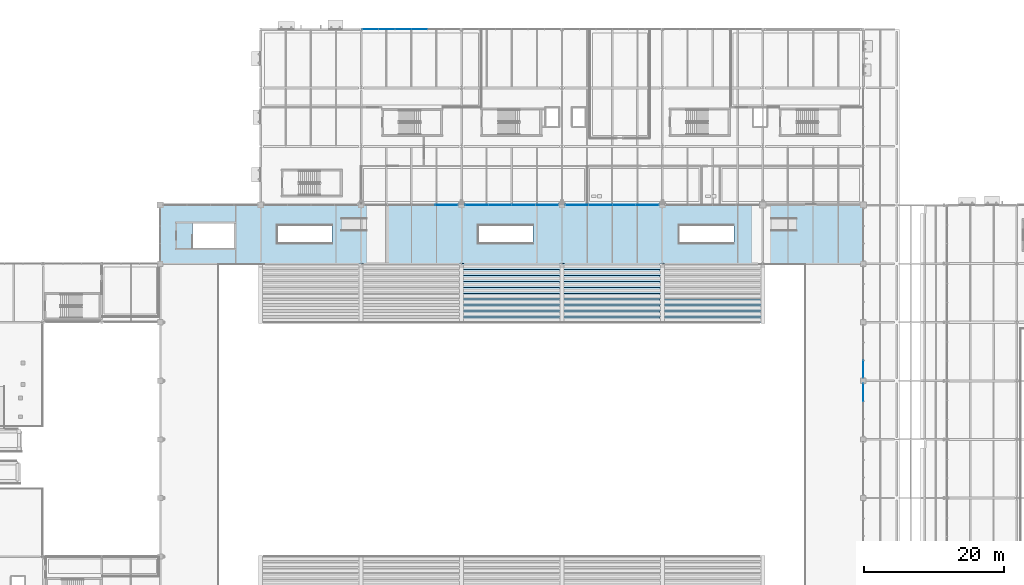
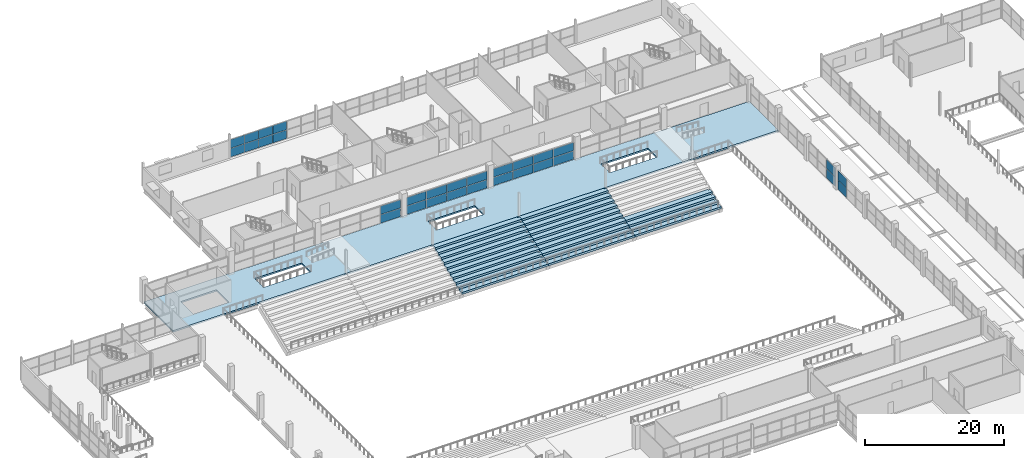
# One storey, part 127 of 161: 30 plates, 25 slabs, 6 elements without a shape of their own.
"""IFC4 building model written with IfcOpenShell, lengths in metres."""

import ifcopenshell
import ifcopenshell.guid

model = None  # the IFC model being written
_history = None  # IfcOwnerHistory: only IFC2X3 demands one
_inside = {}  # id of a spatial element -> (the spatial element, [elements in it])
_under = {}  # id of a project, library or spatial element -> (it, [spatial elements below it])
_declared = {}  # id of a project -> (the project, [libraries it declares])
_typed = {}  # id of a type object -> (the type object, [elements of that type])
_made_of = {}  # id of a material, layer set ... -> (it, [elements and type objects made of it])


def new_model(schema):
    """Start an empty IFC model of exactly this schema.

    Asked for "IFC4X3", IfcOpenShell would pick the latest addendum, in which some entities
    have other attributes; the version numbers below select the first issue.
    IFC2X3 requires an IfcOwnerHistory on every rooted entity: one is made here for all.
    """
    global model, _history
    if schema == "IFC4X3":
        model = ifcopenshell.file(schema_version=(4, 3, 0, 0))
    else:
        model = ifcopenshell.file(schema=schema)
    _inside.clear()
    _under.clear()
    _declared.clear()
    _typed.clear()
    _made_of.clear()
    _history = None
    if model.schema == "IFC2X3":
        org = make("IfcOrganization", Name="unknown")
        user = make(
            "IfcPersonAndOrganization",
            ThePerson=make("IfcPerson", FamilyName="unknown"),
            TheOrganization=org,
        )
        app = make(
            "IfcApplication",
            ApplicationDeveloper=org,
            Version="unknown",
            ApplicationFullName="unknown",
            ApplicationIdentifier="unknown",
        )
        _history = make(
            "IfcOwnerHistory",
            OwningUser=user,
            OwningApplication=app,
            ChangeAction="ADDED",
            CreationDate=0,
        )
    return model


def make(cls, **values):
    """One entity of the class cls with the attributes given. An attribute that is None is left unset."""
    return model.create_entity(
        cls, **{name: value for name, value in values.items() if value is not None}
    )


def rooted(cls, **values):
    """An entity with a GlobalId (a new one), such as an element, a storey or a relation."""
    return make(cls, GlobalId=ifcopenshell.guid.new(), OwnerHistory=_history, **values)


def si_unit(unit_type, name, prefix=None):
    """IfcSIUnit, for example si_unit("LENGTHUNIT", "METRE", prefix="MILLI")."""
    return make("IfcSIUnit", UnitType=unit_type, Prefix=prefix, Name=name)


def assignment(units):
    """IfcUnitAssignment: the units of a project."""
    return None if units is None else make("IfcUnitAssignment", Units=units)


def point(xyz):
    """IfcCartesianPoint."""
    return None if xyz is None else make("IfcCartesianPoint", Coordinates=xyz)


def direction(xyz):
    """IfcDirection."""
    return None if xyz is None else make("IfcDirection", DirectionRatios=xyz)


def frame(location, z_axis=None, x_axis=None):
    """IfcAxis2Placement3D, a coordinate frame: its origin and axes. An axis left out is left unset."""
    return make(
        "IfcAxis2Placement3D",
        Location=point(location),
        Axis=direction(z_axis),
        RefDirection=direction(x_axis),
    )


def frame_2d(location, x_axis=None):
    """IfcAxis2Placement2D, a coordinate frame in the plane: its origin and x axis."""
    return make(
        "IfcAxis2Placement2D", Location=point(location), RefDirection=direction(x_axis)
    )


def origin():
    """The frame at (0, 0, 0) with its axes left unset."""
    return frame((0.0, 0.0, 0.0))


def origin_2d():
    """The frame at (0, 0) in the plane with its x axis left unset."""
    return frame_2d((0.0, 0.0))


def place(relative_to, where):
    """IfcLocalPlacement: puts the frame where relative to a parent placement (None: the world)."""
    return make(
        "IfcLocalPlacement", PlacementRelTo=relative_to, RelativePlacement=where
    )


def context(
    kind, dimensions, precision=None, world=None, true_north=None, identifier=None
):
    """IfcGeometricRepresentationContext, for example the 3D "Model" context."""
    return make(
        "IfcGeometricRepresentationContext",
        ContextIdentifier=identifier,
        ContextType=kind,
        CoordinateSpaceDimension=dimensions,
        Precision=precision,
        WorldCoordinateSystem=world,
        TrueNorth=true_north,
    )


def subcontext(parent, identifier, kind, view, scale=None):
    """IfcGeometricRepresentationSubContext, for example "Body" below "Model"."""
    return make(
        "IfcGeometricRepresentationSubContext",
        ContextIdentifier=identifier,
        ContextType=kind,
        ParentContext=parent,
        TargetScale=scale,
        TargetView=view,
    )


def project(units=None, contexts=None):
    """IfcProject with its units and contexts."""
    return rooted(
        "IfcProject",
        Name="project",
        RepresentationContexts=contexts,
        UnitsInContext=assignment(units),
    )


def spatial(cls, under=None, at=None, **own):
    """A site, building, storey or space (cls), placed at a placement, below another one or the project."""
    s = rooted(cls, ObjectPlacement=at, **own)
    if under is not None:
        _under.setdefault(under.id(), (under, []))[1].append(s)
    return s


def polyline(points):
    """IfcPolyline through the points."""
    return make("IfcPolyline", Points=[point(p) for p in points])


def profile(cls, at=None, kind="AREA", **sizes):
    """A parametric profile (cls). Its sizes go by their IFC names, for example OverallWidth=200.0."""
    return make(cls, ProfileType=kind, Position=at, **sizes)


def rectangle(**sizes):
    """IfcRectangleProfileDef."""
    return profile("IfcRectangleProfileDef", **sizes)


def outline(outer, holes=None, kind="AREA"):
    """IfcArbitraryClosedProfileDef: a profile drawn as a closed curve; with holes, ...WithVoids."""
    if holes is None:
        return make("IfcArbitraryClosedProfileDef", ProfileType=kind, OuterCurve=outer)
    return make(
        "IfcArbitraryProfileDefWithVoids",
        ProfileType=kind,
        OuterCurve=outer,
        InnerCurves=holes,
    )


def extrude(swept, where, along, depth):
    """IfcExtrudedAreaSolid: the profile swept, set in the frame where, extruded along a direction by depth."""
    return make(
        "IfcExtrudedAreaSolid",
        SweptArea=swept,
        Position=where,
        ExtrudedDirection=direction(along),
        Depth=depth,
    )


def shape(context_of_items, identifier, shape_type, items):
    """IfcShapeRepresentation: the items that make up one representation, for example the "Body"."""
    return make(
        "IfcShapeRepresentation",
        ContextOfItems=context_of_items,
        RepresentationIdentifier=identifier,
        RepresentationType=shape_type,
        Items=items,
    )


def material(Name=None, Category=None):
    """IfcMaterial."""
    return make("IfcMaterial", Name=Name, Category=Category)


def layer(
    of_material, thickness, ventilated=None, Name=None, Category=None, Priority=None
):
    """IfcMaterialLayer: one layer of a wall or slab, of a material (None: an air gap)."""
    return make(
        "IfcMaterialLayer",
        Material=of_material,
        LayerThickness=thickness,
        IsVentilated=ventilated,
        Name=Name,
        Category=Category,
        Priority=Priority,
    )


def layer_set(layers, Name=None):
    """IfcMaterialLayerSet."""
    return make("IfcMaterialLayerSet", MaterialLayers=layers, LayerSetName=Name)


def made_of(thing, what):
    """Note that an element or type object is made of a material, layer set ...; save() writes the relation."""
    if what is not None:
        _made_of.setdefault(what.id(), (what, []))[1].append(thing)
    return thing


def type_object(cls, material=None, **own):
    """A type object (cls), such as IfcWallType, which elements share."""
    return made_of(rooted(cls, **own), material)


def element(
    cls,
    number,
    at=None,
    inside=None,
    cuts=None,
    type_object=None,
    material=None,
    context=None,
    identifier="Body",
    shape_type=None,
    held_by="IfcProductDefinitionShape",
    body=None,
    shapes=None,
    **own,
):
    """One element of the class cls, such as IfcWall. Its Tag is "e" and its number.

    at: its placement. inside: the storey or other place that contains it. cuts: it is an
    opening in that element (IfcRelVoidsElement). A single representation is given by context,
    identifier, shape_type and body (its items); several are given by shapes. held_by: the class
    of the entity that holds the representations. save() writes the other relations.
    """
    e = rooted(cls, Tag="e%d" % number, ObjectPlacement=at, **own)
    if body is not None:
        shapes = [shape(context, identifier, shape_type, body)]
    if shapes is not None:
        e.Representation = make(held_by, Representations=shapes)
    if inside is not None:
        _inside.setdefault(inside.id(), (inside, []))[1].append(e)
    if cuts is not None:
        rooted(
            "IfcRelVoidsElement", RelatingBuildingElement=cuts, RelatedOpeningElement=e
        )
    if type_object is not None:
        _typed.setdefault(type_object.id(), (type_object, []))[1].append(e)
    return made_of(e, material)


def aggregate(whole, parts):
    """IfcRelAggregates: a whole, such as a stair, and the parts it consists of."""
    return rooted("IfcRelAggregates", RelatingObject=whole, RelatedObjects=parts)


def save(model, path):
    """Write the relations noted so far, then the file.

    IfcRelAggregates (storeys below a building ...), IfcRelContainedInSpatialStructure (elements
    in a storey), IfcRelDefinesByType, IfcRelAssociatesMaterial and IfcRelDeclares: one each for
    every whole, place, type object, material and project.
    """
    for whole, parts in _under.values():
        aggregate(whole, parts)
    for where, things in _inside.values():
        rooted(
            "IfcRelContainedInSpatialStructure",
            RelatedElements=things,
            RelatingStructure=where,
        )
    for kind, things in _typed.values():
        rooted("IfcRelDefinesByType", RelatedObjects=things, RelatingType=kind)
    for what, things in _made_of.values():
        rooted("IfcRelAssociatesMaterial", RelatedObjects=things, RelatingMaterial=what)
    for by, libraries in _declared.values():
        rooted("IfcRelDeclares", RelatingContext=by, RelatedDefinitions=libraries)
    model.write(path)


model = new_model("IFC4")

# Units and contexts
model_context = context("Model", 3, precision=1e-05, world=origin(), true_north=direction((0.0, 1.0)))
body_context = subcontext(model_context, "Body", "Model", "MODEL_VIEW")
ifc_project = project(units=[si_unit("LENGTHUNIT", "METRE"), si_unit("AREAUNIT", "SQUARE_METRE"), si_unit("VOLUMEUNIT", "CUBIC_METRE"), si_unit("PLANEANGLEUNIT", "RADIAN"), si_unit("MASSUNIT", "GRAM", prefix="KILO"), si_unit("THERMODYNAMICTEMPERATUREUNIT", "KELVIN")], contexts=[model_context])

# Site, building, storey
site_placement = place(None, origin())
site = spatial("IfcSite", under=ifc_project, at=site_placement, CompositionType="ELEMENT")
building_placement = place(site_placement, origin())
building = spatial("IfcBuilding", under=site, at=building_placement, Name="Nduvali Passage Aquatics Centre", CompositionType="ELEMENT")
storey_placement = place(building_placement, frame((0.0, 0.0, 4.800048828125)))
storey = spatial("IfcBuildingStorey", under=building, at=storey_placement, Name="L01", CompositionType="ELEMENT", Elevation=4.800048828125)

# Curtain wall, plates
ifc_material_1 = material(Name="Aluminium EN AW-6063 T6", Category="aluminium")
curtain_wall_type_1 = type_object("IfcCurtainWallType", Name="ENV-CW-WELL", PredefinedType="NOTDEFINED", material=ifc_material_1)
curtain_wall_1_placement = place(storey_placement, origin())
curtain_wall_1 = element("IfcCurtainWall", 1, at=curtain_wall_1_placement, inside=storey, type_object=curtain_wall_type_1, Name="L01 North Avenue Fitness CW 100", PredefinedType="NOTDEFINED")
ifc_material_2 = material(Name="Laminated solar-control low-E IGU")
ifc_layer_1 = layer(ifc_material_2, 0.028076171875, Name="Laminated solar-control low-E IGU")
ifc_layer_set_1 = layer_set([ifc_layer_1], Name="Laminated solar-control low-E IGU")
plate_type_1 = type_object("IfcPlateType", Name="ENV-PLT-GLZ28", PredefinedType="CURTAIN_PANEL", material=ifc_layer_set_1)
plate_1_placement = place(storey_placement, frame((55.34130859375, 117.60009765625, 0.06005859375), z_axis=(0.0, 0.0, 1.0), x_axis=(1.0, 0.0, 0.0)))
plate_1 = element("IfcPlate", 2, at=plate_1_placement, type_object=plate_type_1, Name="North Avenue Fitness CW Glazed Panel B1-R1", PredefinedType="CURTAIN_PANEL", context=body_context, shape_type="SweptSolid", body=[
    extrude(rectangle(XDim=2.25341796875, YDim=0.028076171875, at=origin_2d()), origin(), (0.0, 0.0, 1.0), 1.496826171875),
])
plate_2_placement = place(storey_placement, frame((55.34130859375, 117.60009765625, 1.61669921875), z_axis=(0.0, 0.0, 1.0), x_axis=(1.0, 0.0, 0.0)))
plate_2 = element("IfcPlate", 3, at=plate_2_placement, type_object=plate_type_1, Name="North Avenue Fitness CW Glazed Panel B1-R2", PredefinedType="CURTAIN_PANEL", context=body_context, shape_type="SweptSolid", body=[
    extrude(rectangle(XDim=2.25341796875, YDim=0.028076171875, at=origin_2d()), origin(), (0.0, 0.0, 1.0), 1.496826171875),
])
plate_3_placement = place(storey_placement, frame((57.669677734375, 117.60009765625, 0.06005859375), z_axis=(0.0, 0.0, 1.0), x_axis=(1.0, 0.0, 0.0)))
plate_3 = element("IfcPlate", 4, at=plate_3_placement, type_object=plate_type_1, Name="North Avenue Fitness CW Glazed Panel B2-R1", PredefinedType="CURTAIN_PANEL", context=body_context, shape_type="SweptSolid", body=[
    extrude(rectangle(XDim=2.283447265625, YDim=0.028076171875, at=origin_2d()), origin(), (0.0, 0.0, 1.0), 1.496826171875),
])
plate_4_placement = place(storey_placement, frame((57.669677734375, 117.60009765625, 1.61669921875), z_axis=(0.0, 0.0, 1.0), x_axis=(1.0, 0.0, 0.0)))
plate_4 = element("IfcPlate", 5, at=plate_4_placement, type_object=plate_type_1, Name="North Avenue Fitness CW Glazed Panel B2-R2", PredefinedType="CURTAIN_PANEL", context=body_context, shape_type="SweptSolid", body=[
    extrude(rectangle(XDim=2.283447265625, YDim=0.028076171875, at=origin_2d()), origin(), (0.0, 0.0, 1.0), 1.496826171875),
])
plate_5_placement = place(storey_placement, frame((60.012939453125, 117.60009765625, 0.06005859375), z_axis=(0.0, 0.0, 1.0), x_axis=(1.0, 0.0, 0.0)))
plate_5 = element("IfcPlate", 6, at=plate_5_placement, type_object=plate_type_1, Name="North Avenue Fitness CW Glazed Panel B3-R1", PredefinedType="CURTAIN_PANEL", context=body_context, shape_type="SweptSolid", body=[
    extrude(rectangle(XDim=2.283447265625, YDim=0.028076171875, at=origin_2d()), origin(), (0.0, 0.0, 1.0), 1.496826171875),
])
plate_6_placement = place(storey_placement, frame((60.012939453125, 117.60009765625, 1.61669921875), z_axis=(0.0, 0.0, 1.0), x_axis=(1.0, 0.0, 0.0)))
plate_6 = element("IfcPlate", 7, at=plate_6_placement, type_object=plate_type_1, Name="North Avenue Fitness CW Glazed Panel B3-R2", PredefinedType="CURTAIN_PANEL", context=body_context, shape_type="SweptSolid", body=[
    extrude(rectangle(XDim=2.283447265625, YDim=0.028076171875, at=origin_2d()), origin(), (0.0, 0.0, 1.0), 1.496826171875),
])
plate_7_placement = place(storey_placement, frame((62.3564453125, 117.60009765625, 0.06005859375), z_axis=(0.0, 0.0, 1.0), x_axis=(1.0, 0.0, 0.0)))
plate_7 = element("IfcPlate", 8, at=plate_7_placement, type_object=plate_type_1, Name="North Avenue Fitness CW Glazed Panel B4-R1", PredefinedType="CURTAIN_PANEL", context=body_context, shape_type="SweptSolid", body=[
    extrude(rectangle(XDim=2.283447265625, YDim=0.028076171875, at=origin_2d()), origin(), (0.0, 0.0, 1.0), 1.496826171875),
])
plate_8_placement = place(storey_placement, frame((62.3564453125, 117.60009765625, 1.61669921875), z_axis=(0.0, 0.0, 1.0), x_axis=(1.0, 0.0, 0.0)))
plate_8 = element("IfcPlate", 9, at=plate_8_placement, type_object=plate_type_1, Name="North Avenue Fitness CW Glazed Panel B4-R2", PredefinedType="CURTAIN_PANEL", context=body_context, shape_type="SweptSolid", body=[
    extrude(rectangle(XDim=2.283447265625, YDim=0.028076171875, at=origin_2d()), origin(), (0.0, 0.0, 1.0), 1.496826171875),
])
aggregate(curtain_wall_1, [plate_1, plate_2, plate_3, plate_4, plate_5, plate_6, plate_7, plate_8])

curtain_wall_type_2 = type_object("IfcCurtainWallType", Name="ENV-CW-HALL", PredefinedType="NOTDEFINED", material=ifc_material_1)
curtain_wall_2_placement = place(storey_placement, origin())
curtain_wall_2 = element("IfcCurtainWall", 10, at=curtain_wall_2_placement, inside=storey, type_object=curtain_wall_type_2, Name="L01 East Passage Pool Hall Gallery Glazing 030", PredefinedType="NOTDEFINED")
ifc_layer_2 = layer(ifc_material_2, 0.031982421875, Name="Laminated solar-control low-E IGU")
ifc_layer_set_2 = layer_set([ifc_layer_2], Name="Laminated solar-control low-E IGU")
plate_type_2 = type_object("IfcPlateType", Name="ENV-PLT-GLZ32", PredefinedType="CURTAIN_PANEL", material=ifc_layer_set_2)
plate_9_placement = place(storey_placement, frame((126.0, 65.534912109375, 0.06005859375), z_axis=(0.0, 0.0, 1.0), x_axis=(0.0, 1.0, 0.0)))
plate_9 = element("IfcPlate", 11, at=plate_9_placement, type_object=plate_type_2, Name="East Passage Pool Hall Gallery Glazing Glazed Panel B3-R1", PredefinedType="CURTAIN_PANEL", context=body_context, shape_type="SweptSolid", body=[
    extrude(rectangle(XDim=2.4599609375, YDim=0.031982421875, at=origin_2d()), origin(), (0.0, 0.0, 1.0), 1.6083984375),
])
plate_10_placement = place(storey_placement, frame((126.0, 65.534912109375, 1.728271484375), z_axis=(0.0, 0.0, 1.0), x_axis=(0.0, 1.0, 0.0)))
plate_10 = element("IfcPlate", 12, at=plate_10_placement, type_object=plate_type_2, Name="East Passage Pool Hall Gallery Glazing Glazed Panel B3-R2", PredefinedType="CURTAIN_PANEL", context=body_context, shape_type="SweptSolid", body=[
    extrude(rectangle(XDim=2.4599609375, YDim=0.031982421875, at=origin_2d()), origin(), (0.0, 0.0, 1.0), 1.6083984375),
])
aggregate(curtain_wall_2, [plate_9, plate_10])

curtain_wall_3_placement = place(storey_placement, origin())
curtain_wall_3 = element("IfcCurtainWall", 13, at=curtain_wall_3_placement, inside=storey, type_object=curtain_wall_type_2, Name="L01 East Passage Pool Hall Gallery Glazing 034", PredefinedType="NOTDEFINED")
plate_11_placement = place(storey_placement, frame((126.0, 68.864990234375, 0.06005859375), z_axis=(0.0, 0.0, 1.0), x_axis=(0.0, 1.0, 0.0)))
plate_11 = element("IfcPlate", 14, at=plate_11_placement, type_object=plate_type_2, Name="East Passage Pool Hall Gallery Glazing Glazed Panel B1-R1", PredefinedType="CURTAIN_PANEL", context=body_context, shape_type="SweptSolid", body=[
    extrude(rectangle(XDim=2.4599609375, YDim=0.031982421875, at=origin_2d()), origin(), (0.0, 0.0, 1.0), 1.6083984375),
])
plate_12_placement = place(storey_placement, frame((126.0, 68.864990234375, 1.728271484375), z_axis=(0.0, 0.0, 1.0), x_axis=(0.0, 1.0, 0.0)))
plate_12 = element("IfcPlate", 15, at=plate_12_placement, type_object=plate_type_2, Name="East Passage Pool Hall Gallery Glazing Glazed Panel B1-R2", PredefinedType="CURTAIN_PANEL", context=body_context, shape_type="SweptSolid", body=[
    extrude(rectangle(XDim=2.4599609375, YDim=0.031982421875, at=origin_2d()), origin(), (0.0, 0.0, 1.0), 1.6083984375),
])
aggregate(curtain_wall_3, [plate_11, plate_12])

curtain_wall_4_placement = place(storey_placement, origin())
curtain_wall_4 = element("IfcCurtainWall", 16, at=curtain_wall_4_placement, inside=storey, type_object=curtain_wall_type_2, Name="L01 North Pool Hall Concourse CW 061", PredefinedType="NOTDEFINED")
plate_13_placement = place(storey_placement, frame((66.24755859375, 92.39990234375, 0.06005859375), z_axis=(0.0, 0.0, 1.0), x_axis=(1.0, 0.0, 0.0)))
plate_13 = element("IfcPlate", 17, at=plate_13_placement, type_object=plate_type_2, Name="North Pool Hall Concourse CW Glazed Panel B4-R1", PredefinedType="CURTAIN_PANEL", context=body_context, shape_type="SweptSolid", body=[
    extrude(rectangle(XDim=3.284912109375, YDim=0.031982421875, at=origin_2d()), origin(), (0.0, 0.0, 1.0), 1.45751953125),
])
plate_14_placement = place(storey_placement, frame((66.24755859375, 92.39990234375, 1.57763671875), z_axis=(0.0, 0.0, 1.0), x_axis=(1.0, 0.0, 0.0)))
plate_14 = element("IfcPlate", 18, at=plate_14_placement, type_object=plate_type_2, Name="North Pool Hall Concourse CW Glazed Panel B4-R2", PredefinedType="CURTAIN_PANEL", context=body_context, shape_type="SweptSolid", body=[
    extrude(rectangle(XDim=3.284912109375, YDim=0.031982421875, at=origin_2d()), origin(), (0.0, 0.0, 1.0), 1.45751953125),
])
aggregate(curtain_wall_4, [plate_13, plate_14])

curtain_wall_5_placement = place(storey_placement, origin())
curtain_wall_5 = element("IfcCurtainWall", 19, at=curtain_wall_5_placement, inside=storey, type_object=curtain_wall_type_2, Name="L01 North Pool Hall Concourse CW 062", PredefinedType="NOTDEFINED")
plate_15_placement = place(storey_placement, frame((70.552490234375, 92.39990234375, 0.06005859375), z_axis=(0.0, 0.0, 1.0), x_axis=(1.0, 0.0, 0.0)))
plate_15 = element("IfcPlate", 20, at=plate_15_placement, type_object=plate_type_2, Name="North Pool Hall Concourse CW Glazed Panel B1-R1", PredefinedType="CURTAIN_PANEL", context=body_context, shape_type="SweptSolid", body=[
    extrude(rectangle(XDim=3.284912109375, YDim=0.031982421875, at=origin_2d()), origin(), (0.0, 0.0, 1.0), 1.45751953125),
])
plate_16_placement = place(storey_placement, frame((70.552490234375, 92.39990234375, 1.57763671875), z_axis=(0.0, 0.0, 1.0), x_axis=(1.0, 0.0, 0.0)))
plate_16 = element("IfcPlate", 21, at=plate_16_placement, type_object=plate_type_2, Name="North Pool Hall Concourse CW Glazed Panel B1-R2", PredefinedType="CURTAIN_PANEL", context=body_context, shape_type="SweptSolid", body=[
    extrude(rectangle(XDim=3.284912109375, YDim=0.031982421875, at=origin_2d()), origin(), (0.0, 0.0, 1.0), 1.45751953125),
])
plate_17_placement = place(storey_placement, frame((73.91259765625, 92.39990234375, 0.06005859375), z_axis=(0.0, 0.0, 1.0), x_axis=(1.0, 0.0, 0.0)))
plate_17 = element("IfcPlate", 22, at=plate_17_placement, type_object=plate_type_2, Name="North Pool Hall Concourse CW Glazed Panel B2-R1", PredefinedType="CURTAIN_PANEL", context=body_context, shape_type="SweptSolid", body=[
    extrude(rectangle(XDim=3.31494140625, YDim=0.031982421875, at=origin_2d()), origin(), (0.0, 0.0, 1.0), 1.45751953125),
])
plate_18_placement = place(storey_placement, frame((73.91259765625, 92.39990234375, 1.57763671875), z_axis=(0.0, 0.0, 1.0), x_axis=(1.0, 0.0, 0.0)))
plate_18 = element("IfcPlate", 23, at=plate_18_placement, type_object=plate_type_2, Name="North Pool Hall Concourse CW Glazed Panel B2-R2", PredefinedType="CURTAIN_PANEL", context=body_context, shape_type="SweptSolid", body=[
    extrude(rectangle(XDim=3.31494140625, YDim=0.031982421875, at=origin_2d()), origin(), (0.0, 0.0, 1.0), 1.45751953125),
])
plate_19_placement = place(storey_placement, frame((77.28759765625, 92.39990234375, 0.06005859375), z_axis=(0.0, 0.0, 1.0), x_axis=(1.0, 0.0, 0.0)))
plate_19 = element("IfcPlate", 24, at=plate_19_placement, type_object=plate_type_2, Name="North Pool Hall Concourse CW Glazed Panel B3-R1", PredefinedType="CURTAIN_PANEL", context=body_context, shape_type="SweptSolid", body=[
    extrude(rectangle(XDim=3.31494140625, YDim=0.031982421875, at=origin_2d()), origin(), (0.0, 0.0, 1.0), 1.45751953125),
])
plate_20_placement = place(storey_placement, frame((77.28759765625, 92.39990234375, 1.57763671875), z_axis=(0.0, 0.0, 1.0), x_axis=(1.0, 0.0, 0.0)))
plate_20 = element("IfcPlate", 25, at=plate_20_placement, type_object=plate_type_2, Name="North Pool Hall Concourse CW Glazed Panel B3-R2", PredefinedType="CURTAIN_PANEL", context=body_context, shape_type="SweptSolid", body=[
    extrude(rectangle(XDim=3.31494140625, YDim=0.031982421875, at=origin_2d()), origin(), (0.0, 0.0, 1.0), 1.45751953125),
])
plate_21_placement = place(storey_placement, frame((80.6474609375, 92.39990234375, 0.06005859375), z_axis=(0.0, 0.0, 1.0), x_axis=(1.0, 0.0, 0.0)))
plate_21 = element("IfcPlate", 26, at=plate_21_placement, type_object=plate_type_2, Name="North Pool Hall Concourse CW Glazed Panel B4-R1", PredefinedType="CURTAIN_PANEL", context=body_context, shape_type="SweptSolid", body=[
    extrude(rectangle(XDim=3.284912109375, YDim=0.031982421875, at=origin_2d()), origin(), (0.0, 0.0, 1.0), 1.45751953125),
])
plate_22_placement = place(storey_placement, frame((80.6474609375, 92.39990234375, 1.57763671875), z_axis=(0.0, 0.0, 1.0), x_axis=(1.0, 0.0, 0.0)))
plate_22 = element("IfcPlate", 27, at=plate_22_placement, type_object=plate_type_2, Name="North Pool Hall Concourse CW Glazed Panel B4-R2", PredefinedType="CURTAIN_PANEL", context=body_context, shape_type="SweptSolid", body=[
    extrude(rectangle(XDim=3.284912109375, YDim=0.031982421875, at=origin_2d()), origin(), (0.0, 0.0, 1.0), 1.45751953125),
])
aggregate(curtain_wall_5, [plate_15, plate_16, plate_17, plate_18, plate_19, plate_20, plate_21, plate_22])

curtain_wall_6_placement = place(storey_placement, origin())
curtain_wall_6 = element("IfcCurtainWall", 28, at=curtain_wall_6_placement, inside=storey, type_object=curtain_wall_type_2, Name="L01 North Pool Hall Concourse CW 064", PredefinedType="NOTDEFINED")
plate_23_placement = place(storey_placement, frame((84.952392578125, 92.39990234375, 0.06005859375), z_axis=(0.0, 0.0, 1.0), x_axis=(1.0, 0.0, 0.0)))
plate_23 = element("IfcPlate", 29, at=plate_23_placement, type_object=plate_type_2, Name="North Pool Hall Concourse CW Glazed Panel B1-R1", PredefinedType="CURTAIN_PANEL", context=body_context, shape_type="SweptSolid", body=[
    extrude(rectangle(XDim=3.284912109375, YDim=0.031982421875, at=origin_2d()), origin(), (0.0, 0.0, 1.0), 1.45751953125),
])
plate_24_placement = place(storey_placement, frame((84.952392578125, 92.39990234375, 1.57763671875), z_axis=(0.0, 0.0, 1.0), x_axis=(1.0, 0.0, 0.0)))
plate_24 = element("IfcPlate", 30, at=plate_24_placement, type_object=plate_type_2, Name="North Pool Hall Concourse CW Glazed Panel B1-R2", PredefinedType="CURTAIN_PANEL", context=body_context, shape_type="SweptSolid", body=[
    extrude(rectangle(XDim=3.284912109375, YDim=0.031982421875, at=origin_2d()), origin(), (0.0, 0.0, 1.0), 1.45751953125),
])
plate_25_placement = place(storey_placement, frame((88.3125, 92.39990234375, 0.06005859375), z_axis=(0.0, 0.0, 1.0), x_axis=(1.0, 0.0, 0.0)))
plate_25 = element("IfcPlate", 31, at=plate_25_placement, type_object=plate_type_2, Name="North Pool Hall Concourse CW Glazed Panel B2-R1", PredefinedType="CURTAIN_PANEL", context=body_context, shape_type="SweptSolid", body=[
    extrude(rectangle(XDim=3.31494140625, YDim=0.031982421875, at=origin_2d()), origin(), (0.0, 0.0, 1.0), 1.45751953125),
])
plate_26_placement = place(storey_placement, frame((88.3125, 92.39990234375, 1.57763671875), z_axis=(0.0, 0.0, 1.0), x_axis=(1.0, 0.0, 0.0)))
plate_26 = element("IfcPlate", 32, at=plate_26_placement, type_object=plate_type_2, Name="North Pool Hall Concourse CW Glazed Panel B2-R2", PredefinedType="CURTAIN_PANEL", context=body_context, shape_type="SweptSolid", body=[
    extrude(rectangle(XDim=3.31494140625, YDim=0.031982421875, at=origin_2d()), origin(), (0.0, 0.0, 1.0), 1.45751953125),
])
plate_27_placement = place(storey_placement, frame((91.6875, 92.39990234375, 0.06005859375), z_axis=(0.0, 0.0, 1.0), x_axis=(1.0, 0.0, 0.0)))
plate_27 = element("IfcPlate", 33, at=plate_27_placement, type_object=plate_type_2, Name="North Pool Hall Concourse CW Glazed Panel B3-R1", PredefinedType="CURTAIN_PANEL", context=body_context, shape_type="SweptSolid", body=[
    extrude(rectangle(XDim=3.31494140625, YDim=0.031982421875, at=origin_2d()), origin(), (0.0, 0.0, 1.0), 1.45751953125),
])
plate_28_placement = place(storey_placement, frame((91.6875, 92.39990234375, 1.57763671875), z_axis=(0.0, 0.0, 1.0), x_axis=(1.0, 0.0, 0.0)))
plate_28 = element("IfcPlate", 34, at=plate_28_placement, type_object=plate_type_2, Name="North Pool Hall Concourse CW Glazed Panel B3-R2", PredefinedType="CURTAIN_PANEL", context=body_context, shape_type="SweptSolid", body=[
    extrude(rectangle(XDim=3.31494140625, YDim=0.031982421875, at=origin_2d()), origin(), (0.0, 0.0, 1.0), 1.45751953125),
])
plate_29_placement = place(storey_placement, frame((95.047607421875, 92.39990234375, 0.06005859375), z_axis=(0.0, 0.0, 1.0), x_axis=(1.0, 0.0, 0.0)))
plate_29 = element("IfcPlate", 35, at=plate_29_placement, type_object=plate_type_2, Name="North Pool Hall Concourse CW Glazed Panel B4-R1", PredefinedType="CURTAIN_PANEL", context=body_context, shape_type="SweptSolid", body=[
    extrude(rectangle(XDim=3.284912109375, YDim=0.031982421875, at=origin_2d()), origin(), (0.0, 0.0, 1.0), 1.45751953125),
])
plate_30_placement = place(storey_placement, frame((95.047607421875, 92.39990234375, 1.57763671875), z_axis=(0.0, 0.0, 1.0), x_axis=(1.0, 0.0, 0.0)))
plate_30 = element("IfcPlate", 36, at=plate_30_placement, type_object=plate_type_2, Name="North Pool Hall Concourse CW Glazed Panel B4-R2", PredefinedType="CURTAIN_PANEL", context=body_context, shape_type="SweptSolid", body=[
    extrude(rectangle(XDim=3.284912109375, YDim=0.031982421875, at=origin_2d()), origin(), (0.0, 0.0, 1.0), 1.45751953125),
])
aggregate(curtain_wall_6, [plate_23, plate_24, plate_25, plate_26, plate_27, plate_28, plate_29, plate_30])

# Slabs
ifc_material_3 = material(Name="Concrete C40/50", Category="concrete")
ifc_layer_3 = layer(ifc_material_3, 0.280029296875, Name="Concrete C40/50")
ifc_layer_set_3 = layer_set([ifc_layer_3], Name="Concrete C40/50")
slab_type_1 = type_object("IfcSlabType", Name="STR-SLB-FLR280", PredefinedType="FLOOR", material=ifc_layer_set_3)
slab_1_placement = place(storey_placement, frame((0.0, 0.0, -0.280029296875)))
element("IfcSlab", 37, at=slab_1_placement, inside=storey, type_object=slab_type_1, Name="L01 North Spectator Concourse Gallery Slab", PredefinedType="FLOOR", context=body_context, shape_type="SweptSolid", body=[
    extrude(outline(polyline([(25.25, 84.0), (126.0, 84.0), (126.0, 92.39990234375), (25.25, 92.39990234375), (25.25, 84.0)]), holes=[polyline([(29.85009765625, 86.199951171875), (35.800048828125, 86.199951171875), (35.800048828125, 89.7900390625), (29.85009765625, 89.7900390625), (29.85009765625, 86.199951171875)]), polyline([(42.0, 86.925048828125), (49.830078125, 86.925048828125), (49.830078125, 89.47509765625), (42.0, 89.47509765625), (42.0, 86.925048828125)]), polyline([(70.800048828125, 86.925048828125), (78.6298828125, 86.925048828125), (78.6298828125, 89.47509765625), (70.800048828125, 89.47509765625), (70.800048828125, 86.925048828125)]), polyline([(99.60009765625, 86.925048828125), (107.429931640625, 86.925048828125), (107.429931640625, 89.47509765625), (99.60009765625, 89.47509765625), (99.60009765625, 86.925048828125)])]), origin(), (0.0, 0.0, 1.0), 0.280029296875),
])
ifc_material_4 = material(Name="Precast concrete C40/50", Category="concrete")
ifc_layer_4 = layer(ifc_material_4, 0.360107421875, Name="Precast concrete C40/50")
ifc_layer_set_4 = layer_set([ifc_layer_4], Name="Precast concrete C40/50")
slab_type_2 = type_object("IfcSlabType", Name="STR-SLB-TIER360", PredefinedType="USERDEFINED", material=ifc_layer_set_4)
slab_2_placement = place(storey_placement, frame((0.0, 0.0, -3.60009765625)))
element("IfcSlab", 38, at=slab_2_placement, inside=storey, type_object=slab_type_2, Name="Stand North Bay 3 Seating Tier Row 01", ObjectType="SEATING TIER", PredefinedType="USERDEFINED", context=body_context, shape_type="SweptSolid", body=[
    extrude(outline(polyline([(68.39990234375, 75.5), (82.800048828125, 75.5), (82.800048828125, 76.169921875), (82.449951171875, 76.169921875), (82.449951171875, 76.35009765625), (68.39990234375, 76.35009765625), (68.39990234375, 75.5)])), origin(), (0.0, 0.0, 1.0), 0.360107421875),
])
slab_3_placement = place(storey_placement, frame((0.0, 0.0, -3.60009765625)))
element("IfcSlab", 39, at=slab_3_placement, inside=storey, type_object=slab_type_2, Name="Stand North Bay 4 Seating Tier Row 01", ObjectType="SEATING TIER", PredefinedType="USERDEFINED", context=body_context, shape_type="SweptSolid", body=[
    extrude(outline(polyline([(82.800048828125, 75.5), (97.199951171875, 75.5), (97.199951171875, 76.169921875), (96.85009765625, 76.169921875), (96.85009765625, 76.35009765625), (82.800048828125, 76.35009765625), (82.800048828125, 75.5)])), origin(), (0.0, 0.0, 1.0), 0.360107421875),
])
slab_4_placement = place(storey_placement, frame((0.0, 0.0, -3.60009765625)))
element("IfcSlab", 40, at=slab_4_placement, inside=storey, type_object=slab_type_2, Name="Stand North Bay 5 Seating Tier Row 01", ObjectType="SEATING TIER", PredefinedType="USERDEFINED", context=body_context, shape_type="SweptSolid", body=[
    extrude(outline(polyline([(97.199951171875, 75.5), (111.60009765625, 75.5), (111.60009765625, 76.169921875), (111.25, 76.169921875), (111.25, 76.35009765625), (97.199951171875, 76.35009765625), (97.199951171875, 75.5)])), origin(), (0.0, 0.0, 1.0), 0.360107421875),
])
slab_5_placement = place(storey_placement, frame((0.0, 0.0, -3.239990234375)))
element("IfcSlab", 41, at=slab_5_placement, inside=storey, type_object=slab_type_2, Name="Stand North Bay 3 Seating Tier Row 02", ObjectType="SEATING TIER", PredefinedType="USERDEFINED", context=body_context, shape_type="SweptSolid", body=[
    extrude(outline(polyline([(68.39990234375, 76.35009765625), (82.800048828125, 76.35009765625), (82.800048828125, 77.02001953125), (82.449951171875, 77.02001953125), (82.449951171875, 77.199951171875), (68.39990234375, 77.199951171875), (68.39990234375, 76.35009765625)])), origin(), (0.0, 0.0, 1.0), 0.35986328125),
])
slab_6_placement = place(storey_placement, frame((0.0, 0.0, -3.239990234375)))
element("IfcSlab", 42, at=slab_6_placement, inside=storey, type_object=slab_type_2, Name="Stand North Bay 4 Seating Tier Row 02", ObjectType="SEATING TIER", PredefinedType="USERDEFINED", context=body_context, shape_type="SweptSolid", body=[
    extrude(outline(polyline([(82.800048828125, 76.35009765625), (97.199951171875, 76.35009765625), (97.199951171875, 77.02001953125), (96.85009765625, 77.02001953125), (96.85009765625, 77.199951171875), (82.800048828125, 77.199951171875), (82.800048828125, 76.35009765625)])), origin(), (0.0, 0.0, 1.0), 0.35986328125),
])
slab_7_placement = place(storey_placement, frame((0.0, 0.0, -3.239990234375)))
element("IfcSlab", 43, at=slab_7_placement, inside=storey, type_object=slab_type_2, Name="Stand North Bay 5 Seating Tier Row 02", ObjectType="SEATING TIER", PredefinedType="USERDEFINED", context=body_context, shape_type="SweptSolid", body=[
    extrude(outline(polyline([(97.199951171875, 76.35009765625), (111.60009765625, 76.35009765625), (111.60009765625, 77.02001953125), (111.25, 77.02001953125), (111.25, 77.199951171875), (97.199951171875, 77.199951171875), (97.199951171875, 76.35009765625)])), origin(), (0.0, 0.0, 1.0), 0.35986328125),
])
slab_8_placement = place(storey_placement, frame((0.0, 0.0, -2.880126953125)))
element("IfcSlab", 44, at=slab_8_placement, inside=storey, type_object=slab_type_2, Name="Stand North Bay 3 Seating Tier Row 03", ObjectType="SEATING TIER", PredefinedType="USERDEFINED", context=body_context, shape_type="SweptSolid", body=[
    extrude(outline(polyline([(68.39990234375, 77.199951171875), (82.800048828125, 77.199951171875), (82.800048828125, 77.8701171875), (82.449951171875, 77.8701171875), (82.449951171875, 78.050048828125), (68.39990234375, 78.050048828125), (68.39990234375, 77.199951171875)])), origin(), (0.0, 0.0, 1.0), 0.360107421875),
])
slab_9_placement = place(storey_placement, frame((0.0, 0.0, -2.880126953125)))
element("IfcSlab", 45, at=slab_9_placement, inside=storey, type_object=slab_type_2, Name="Stand North Bay 4 Seating Tier Row 03", ObjectType="SEATING TIER", PredefinedType="USERDEFINED", context=body_context, shape_type="SweptSolid", body=[
    extrude(outline(polyline([(82.800048828125, 77.199951171875), (97.199951171875, 77.199951171875), (97.199951171875, 77.8701171875), (96.85009765625, 77.8701171875), (96.85009765625, 78.050048828125), (82.800048828125, 78.050048828125), (82.800048828125, 77.199951171875)])), origin(), (0.0, 0.0, 1.0), 0.360107421875),
])
slab_10_placement = place(storey_placement, frame((0.0, 0.0, -2.880126953125)))
element("IfcSlab", 46, at=slab_10_placement, inside=storey, type_object=slab_type_2, Name="Stand North Bay 5 Seating Tier Row 03", ObjectType="SEATING TIER", PredefinedType="USERDEFINED", context=body_context, shape_type="SweptSolid", body=[
    extrude(outline(polyline([(97.199951171875, 77.199951171875), (111.60009765625, 77.199951171875), (111.60009765625, 77.8701171875), (111.25, 77.8701171875), (111.25, 78.050048828125), (97.199951171875, 78.050048828125), (97.199951171875, 77.199951171875)])), origin(), (0.0, 0.0, 1.0), 0.360107421875),
])
slab_11_placement = place(storey_placement, frame((0.0, 0.0, -2.52001953125)))
element("IfcSlab", 47, at=slab_11_placement, inside=storey, type_object=slab_type_2, Name="Stand North Bay 3 Seating Tier Row 04", ObjectType="SEATING TIER", PredefinedType="USERDEFINED", context=body_context, shape_type="SweptSolid", body=[
    extrude(outline(polyline([(68.39990234375, 78.050048828125), (82.800048828125, 78.050048828125), (82.800048828125, 78.719970703125), (82.449951171875, 78.719970703125), (82.449951171875, 78.89990234375), (68.39990234375, 78.89990234375), (68.39990234375, 78.050048828125)])), origin(), (0.0, 0.0, 1.0), 0.35986328125),
])
slab_12_placement = place(storey_placement, frame((0.0, 0.0, -2.52001953125)))
element("IfcSlab", 48, at=slab_12_placement, inside=storey, type_object=slab_type_2, Name="Stand North Bay 4 Seating Tier Row 04", ObjectType="SEATING TIER", PredefinedType="USERDEFINED", context=body_context, shape_type="SweptSolid", body=[
    extrude(outline(polyline([(82.800048828125, 78.050048828125), (97.199951171875, 78.050048828125), (97.199951171875, 78.719970703125), (96.85009765625, 78.719970703125), (96.85009765625, 78.89990234375), (82.800048828125, 78.89990234375), (82.800048828125, 78.050048828125)])), origin(), (0.0, 0.0, 1.0), 0.35986328125),
])
slab_13_placement = place(storey_placement, frame((0.0, 0.0, -2.52001953125)))
element("IfcSlab", 49, at=slab_13_placement, inside=storey, type_object=slab_type_2, Name="Stand North Bay 5 Seating Tier Row 04", ObjectType="SEATING TIER", PredefinedType="USERDEFINED", context=body_context, shape_type="SweptSolid", body=[
    extrude(outline(polyline([(97.199951171875, 78.050048828125), (111.60009765625, 78.050048828125), (111.60009765625, 78.719970703125), (111.25, 78.719970703125), (111.25, 78.89990234375), (97.199951171875, 78.89990234375), (97.199951171875, 78.050048828125)])), origin(), (0.0, 0.0, 1.0), 0.35986328125),
])
slab_14_placement = place(storey_placement, frame((0.0, 0.0, -2.16015625)))
element("IfcSlab", 50, at=slab_14_placement, inside=storey, type_object=slab_type_2, Name="Stand North Bay 3 Seating Tier Row 05", ObjectType="SEATING TIER", PredefinedType="USERDEFINED", context=body_context, shape_type="SweptSolid", body=[
    extrude(outline(polyline([(68.39990234375, 78.89990234375), (82.800048828125, 78.89990234375), (82.800048828125, 79.570068359375), (82.449951171875, 79.570068359375), (82.449951171875, 79.75), (68.39990234375, 79.75), (68.39990234375, 78.89990234375)])), origin(), (0.0, 0.0, 1.0), 0.360107421875),
])
slab_15_placement = place(storey_placement, frame((0.0, 0.0, -2.16015625)))
element("IfcSlab", 51, at=slab_15_placement, inside=storey, type_object=slab_type_2, Name="Stand North Bay 4 Seating Tier Row 05", ObjectType="SEATING TIER", PredefinedType="USERDEFINED", context=body_context, shape_type="SweptSolid", body=[
    extrude(outline(polyline([(82.800048828125, 78.89990234375), (97.199951171875, 78.89990234375), (97.199951171875, 79.570068359375), (96.85009765625, 79.570068359375), (96.85009765625, 79.75), (82.800048828125, 79.75), (82.800048828125, 78.89990234375)])), origin(), (0.0, 0.0, 1.0), 0.360107421875),
])
slab_16_placement = place(storey_placement, frame((0.0, 0.0, -1.800048828125)))
element("IfcSlab", 52, at=slab_16_placement, inside=storey, type_object=slab_type_2, Name="Stand North Bay 3 Seating Tier Row 06", ObjectType="SEATING TIER", PredefinedType="USERDEFINED", context=body_context, shape_type="SweptSolid", body=[
    extrude(outline(polyline([(68.39990234375, 79.75), (82.800048828125, 79.75), (82.800048828125, 80.419921875), (82.449951171875, 80.419921875), (82.449951171875, 80.60009765625), (68.39990234375, 80.60009765625), (68.39990234375, 79.75)])), origin(), (0.0, 0.0, 1.0), 0.360107421875),
])
slab_17_placement = place(storey_placement, frame((0.0, 0.0, -1.800048828125)))
element("IfcSlab", 53, at=slab_17_placement, inside=storey, type_object=slab_type_2, Name="Stand North Bay 4 Seating Tier Row 06", ObjectType="SEATING TIER", PredefinedType="USERDEFINED", context=body_context, shape_type="SweptSolid", body=[
    extrude(outline(polyline([(82.800048828125, 79.75), (97.199951171875, 79.75), (97.199951171875, 80.419921875), (96.85009765625, 80.419921875), (96.85009765625, 80.60009765625), (82.800048828125, 80.60009765625), (82.800048828125, 79.75)])), origin(), (0.0, 0.0, 1.0), 0.360107421875),
])
slab_18_placement = place(storey_placement, frame((0.0, 0.0, -1.43994140625)))
element("IfcSlab", 54, at=slab_18_placement, inside=storey, type_object=slab_type_2, Name="Stand North Bay 3 Seating Tier Row 07", ObjectType="SEATING TIER", PredefinedType="USERDEFINED", context=body_context, shape_type="SweptSolid", body=[
    extrude(outline(polyline([(68.39990234375, 80.60009765625), (82.800048828125, 80.60009765625), (82.800048828125, 81.27001953125), (82.449951171875, 81.27001953125), (82.449951171875, 81.449951171875), (68.39990234375, 81.449951171875), (68.39990234375, 80.60009765625)])), origin(), (0.0, 0.0, 1.0), 0.35986328125),
])
slab_19_placement = place(storey_placement, frame((0.0, 0.0, -1.43994140625)))
element("IfcSlab", 55, at=slab_19_placement, inside=storey, type_object=slab_type_2, Name="Stand North Bay 4 Seating Tier Row 07", ObjectType="SEATING TIER", PredefinedType="USERDEFINED", context=body_context, shape_type="SweptSolid", body=[
    extrude(outline(polyline([(82.800048828125, 80.60009765625), (97.199951171875, 80.60009765625), (97.199951171875, 81.27001953125), (96.85009765625, 81.27001953125), (96.85009765625, 81.449951171875), (82.800048828125, 81.449951171875), (82.800048828125, 80.60009765625)])), origin(), (0.0, 0.0, 1.0), 0.35986328125),
])
slab_20_placement = place(storey_placement, frame((0.0, 0.0, -1.080078125)))
element("IfcSlab", 56, at=slab_20_placement, inside=storey, type_object=slab_type_2, Name="Stand North Bay 3 Seating Tier Row 08", ObjectType="SEATING TIER", PredefinedType="USERDEFINED", context=body_context, shape_type="SweptSolid", body=[
    extrude(outline(polyline([(68.39990234375, 81.449951171875), (82.800048828125, 81.449951171875), (82.800048828125, 82.1201171875), (82.449951171875, 82.1201171875), (82.449951171875, 82.300048828125), (68.39990234375, 82.300048828125), (68.39990234375, 81.449951171875)])), origin(), (0.0, 0.0, 1.0), 0.360107421875),
])
slab_21_placement = place(storey_placement, frame((0.0, 0.0, -1.080078125)))
element("IfcSlab", 57, at=slab_21_placement, inside=storey, type_object=slab_type_2, Name="Stand North Bay 4 Seating Tier Row 08", ObjectType="SEATING TIER", PredefinedType="USERDEFINED", context=body_context, shape_type="SweptSolid", body=[
    extrude(outline(polyline([(82.800048828125, 81.449951171875), (97.199951171875, 81.449951171875), (97.199951171875, 82.1201171875), (96.85009765625, 82.1201171875), (96.85009765625, 82.300048828125), (82.800048828125, 82.300048828125), (82.800048828125, 81.449951171875)])), origin(), (0.0, 0.0, 1.0), 0.360107421875),
])
slab_22_placement = place(storey_placement, frame((0.0, 0.0, -0.719970703125)))
element("IfcSlab", 58, at=slab_22_placement, inside=storey, type_object=slab_type_2, Name="Stand North Bay 3 Seating Tier Row 09", ObjectType="SEATING TIER", PredefinedType="USERDEFINED", context=body_context, shape_type="SweptSolid", body=[
    extrude(outline(polyline([(68.39990234375, 82.300048828125), (82.800048828125, 82.300048828125), (82.800048828125, 82.969970703125), (82.449951171875, 82.969970703125), (82.449951171875, 83.14990234375), (68.39990234375, 83.14990234375), (68.39990234375, 82.300048828125)])), origin(), (0.0, 0.0, 1.0), 0.35986328125),
])
slab_23_placement = place(storey_placement, frame((0.0, 0.0, -0.719970703125)))
element("IfcSlab", 59, at=slab_23_placement, inside=storey, type_object=slab_type_2, Name="Stand North Bay 4 Seating Tier Row 09", ObjectType="SEATING TIER", PredefinedType="USERDEFINED", context=body_context, shape_type="SweptSolid", body=[
    extrude(outline(polyline([(82.800048828125, 82.300048828125), (97.199951171875, 82.300048828125), (97.199951171875, 82.969970703125), (96.85009765625, 82.969970703125), (96.85009765625, 83.14990234375), (82.800048828125, 83.14990234375), (82.800048828125, 82.300048828125)])), origin(), (0.0, 0.0, 1.0), 0.35986328125),
])
slab_24_placement = place(storey_placement, frame((0.0, 0.0, -0.360107421875)))
element("IfcSlab", 60, at=slab_24_placement, inside=storey, type_object=slab_type_2, Name="Stand North Bay 3 Seating Tier Row 10", ObjectType="SEATING TIER", PredefinedType="USERDEFINED", context=body_context, shape_type="SweptSolid", body=[
    extrude(outline(polyline([(68.39990234375, 83.14990234375), (82.800048828125, 83.14990234375), (82.800048828125, 83.820068359375), (82.449951171875, 83.820068359375), (82.449951171875, 84.0), (68.39990234375, 84.0), (68.39990234375, 83.14990234375)])), origin(), (0.0, 0.0, 1.0), 0.360107421875),
])
slab_25_placement = place(storey_placement, frame((0.0, 0.0, -0.360107421875)))
element("IfcSlab", 61, at=slab_25_placement, inside=storey, type_object=slab_type_2, Name="Stand North Bay 4 Seating Tier Row 10", ObjectType="SEATING TIER", PredefinedType="USERDEFINED", context=body_context, shape_type="SweptSolid", body=[
    extrude(outline(polyline([(82.800048828125, 83.14990234375), (97.199951171875, 83.14990234375), (97.199951171875, 83.820068359375), (96.85009765625, 83.820068359375), (96.85009765625, 84.0), (82.800048828125, 84.0), (82.800048828125, 83.14990234375)])), origin(), (0.0, 0.0, 1.0), 0.360107421875),
])

save(model, "model.ifc")
